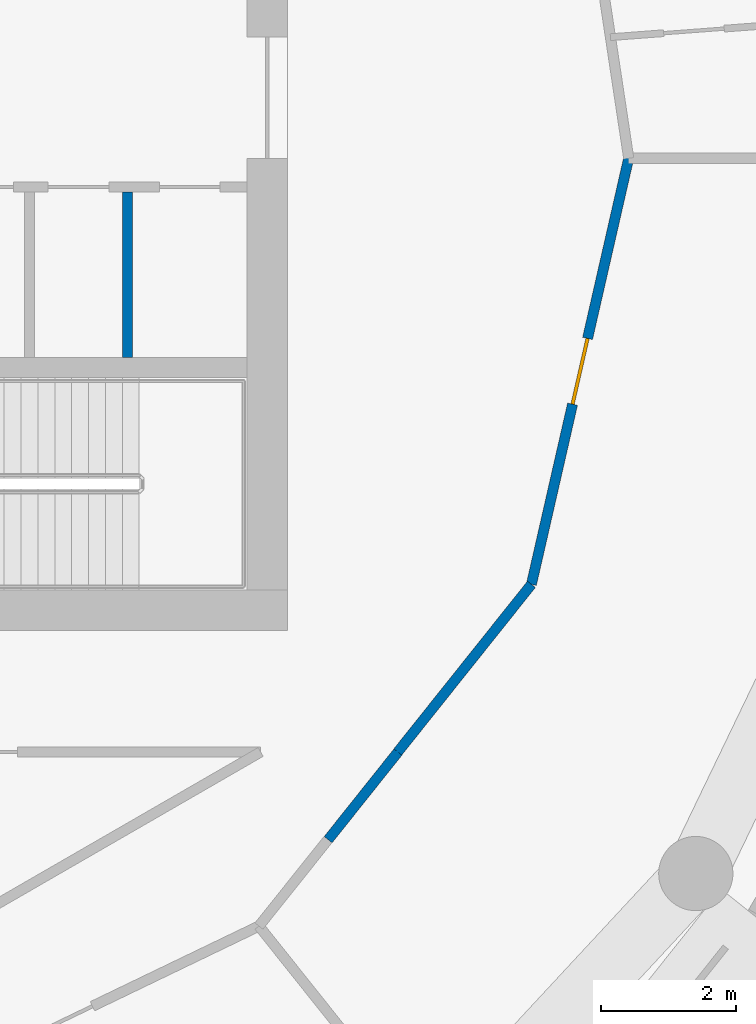
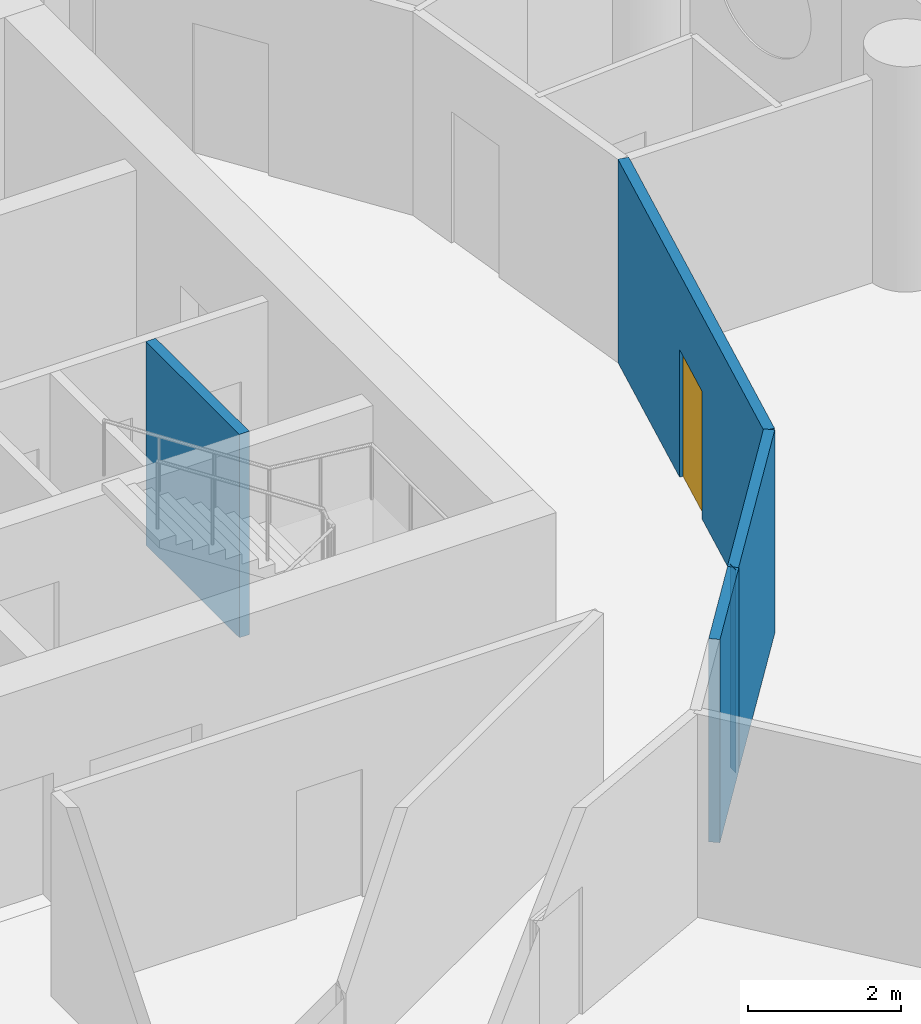
# One storey, part 6 of 13: 5 walls, 1 door, 1 opening.
"""IFC4 building model written with IfcOpenShell, lengths in metres."""

from ifc_helpers import new_model, si_unit, direction, frame, frame_2d, origin, place, context, subcontext, project, spatial, rectangle, extrude, material, layer, layer_set, type_object, element, fill, save


model = new_model("IFC4")

# Units and contexts
model_context = context("Model", 3, precision=1e-05, world=origin(), true_north=direction((0.0, 1.0)))
body_context = subcontext(model_context, "Body", "Model", "MODEL_VIEW")
ifc_project = project(units=[si_unit("LENGTHUNIT", "METRE"), si_unit("AREAUNIT", "SQUARE_METRE"), si_unit("VOLUMEUNIT", "CUBIC_METRE"), si_unit("PLANEANGLEUNIT", "RADIAN"), si_unit("MASSUNIT", "GRAM", prefix="KILO")], contexts=[model_context])

# Site, building, storey
site_placement = place(None, origin())
site = spatial("IfcSite", under=ifc_project, at=site_placement, CompositionType="ELEMENT")
building_placement = place(site_placement, origin())
building = spatial("IfcBuilding", under=site, at=building_placement, Name="Tracery Tower", CompositionType="ELEMENT")
storey_placement = place(building_placement, frame((0.0, 0.0, 231.0)))
storey = spatial("IfcBuildingStorey", under=building, at=storey_placement, Name="L59", CompositionType="ELEMENT", Elevation=231.0)

# Walls
ifc_material_1 = material(Name="Plasterboard on steel studs", Category="steel")
ifc_layer_1 = layer(ifc_material_1, 0.14990234375)
ifc_layer_set_1 = layer_set([ifc_layer_1], Name="Core room partition 150")
wall_type_1 = type_object("IfcWallType", Name="Core room partition 150", PredefinedType="SOLIDWALL", material=ifc_layer_set_1)
wall_1_placement = place(storey_placement, frame((7.125, -2.949951171875, 0.0), z_axis=(0.0, 0.0, 1.0), x_axis=(0.0, 1.0, 0.0)))
element("IfcWall", 1, at=wall_1_placement, inside=storey, type_object=wall_type_1, Name="L59 slot sep 2", PredefinedType="SOLIDWALL", context=body_context, shape_type="SweptSolid", body=[
    extrude(rectangle(XDim=2.449951171875, YDim=0.14990234375, at=frame_2d((1.22509765625, 0.0))), origin(), (0.0, 0.0, 1.0), 3.25),
])
ifc_material_2 = material(Name="Plasterboard on steel studs", Category="steel")
ifc_layer_2 = layer(ifc_material_2, 0.14990234375)
ifc_layer_set_2 = layer_set([ifc_layer_2], Name="Partition 150 corridor wall")
wall_type_2 = type_object("IfcWallType", Name="Partition 150 corridor wall", PredefinedType="PARTITIONING", material=ifc_layer_set_2)
wall_2_placement = place(storey_placement, frame((11.136962890625, -8.800048828125, 0.0), z_axis=(0.0, 0.0, 1.0), x_axis=(-1.0, 0.0, 0.0)))
element("IfcWall", 2, at=wall_2_placement, inside=storey, type_object=wall_type_2, Name="Corridor wall RC1-019", PredefinedType="PARTITIONING", context=body_context, shape_type="SweptSolid", body=[
    extrude(rectangle(XDim=0.0029296875, YDim=0.14990234375, at=frame_2d((0.00146484375, 0.0))), origin(), (0.0, 0.0, 1.0), 3.25),
])
wall_3_placement = place(storey_placement, frame((10.10107421875, -10.10107421875, 0.0), z_axis=(0.0, 0.0, 1.0), x_axis=(0.623098344652, 0.782143498913, 0.0)))
element("IfcWall", 3, at=wall_3_placement, inside=storey, type_object=wall_type_2, Name="Corridor wall RC1-020", PredefinedType="PARTITIONING", context=body_context, shape_type="SweptSolid", body=[
    extrude(rectangle(XDim=1.660888671875, YDim=0.14990234375, at=frame_2d((0.83056640625, 0.0))), origin(), (0.0, 0.0, 1.0), 3.25),
])

# Wall, opening, door
wall_4_placement = place(storey_placement, frame((13.114990234375, -6.31591796875, 0.0), z_axis=(0.0, 0.0, 1.0), x_axis=(0.222568978642, 0.97491694505, 0.0)))
wall_4 = element("IfcWall", 4, at=wall_4_placement, inside=storey, type_object=wall_type_2, Name="Corridor wall RC1-023", PredefinedType="PARTITIONING", context=body_context, shape_type="SweptSolid", body=[
    extrude(rectangle(XDim=6.478515625, YDim=0.14990234375, at=frame_2d((3.2392578125, 0.0))), origin(), (0.0, 0.0, 1.0), 3.25),
])
opening_placement = place(wall_4_placement, frame((2.739501953125, 0.0, 0.0)))
opening = element("IfcOpeningElement", 5, at=opening_placement, cuts=wall_4, Name="Opening RC1-22", PredefinedType="OPENING", context=body_context, shape_type="SweptSolid", body=[
    extrude(rectangle(XDim=1.0, YDim=2.0400390625, at=frame_2d((0.5, 1.02001953125))), frame((0.0, 0.074951171875, 0.0), z_axis=(0.0, -1.0, 0.0), x_axis=(1.0, 0.0, 0.0)), (0.0, 0.0, 1.0), 0.14990234375),
])
ifc_material_3 = material(Name="Timber door leaf", Category="wood")
door_type = type_object("IfcDoorType", Name="Door communal room 1000", OperationType="NOTDEFINED", PredefinedType="DOOR", material=ifc_material_3)
door_placement = place(opening_placement, origin())
door = element("IfcDoor", 6, at=door_placement, inside=storey, type_object=door_type, Name="Communal room door RC1-22", OperationType="SINGLE_SWING_LEFT", OverallHeight=2.0400390625, OverallWidth=1.0, PredefinedType="DOOR", context=body_context, shape_type="SweptSolid", body=[
    extrude(rectangle(XDim=1.0, YDim=2.0400390625, at=frame_2d((0.5, 1.02001953125))), frame((0.0, 0.02490234375, 0.0), z_axis=(0.0, -1.0, 0.0), x_axis=(1.0, 0.0, 0.0)), (0.0, 0.0, 1.0), 0.050048828125),
])
fill(opening, door)

# Wall
wall_5_placement = place(storey_placement, frame((11.134033203125, -8.800048828125, 0.0), z_axis=(0.0, 0.0, 1.0), x_axis=(0.623476099415, 0.781842409606, 0.0)))
element("IfcWall", 7, at=wall_5_placement, inside=storey, type_object=wall_type_2, Name="Corridor wall RC1-024", PredefinedType="PARTITIONING", context=body_context, shape_type="SweptSolid", body=[
    extrude(rectangle(XDim=3.17724609375, YDim=0.14990234375, at=frame_2d((1.588623046875, 0.0))), origin(), (0.0, 0.0, 1.0), 3.25),
])

save(model, "model.ifc")
